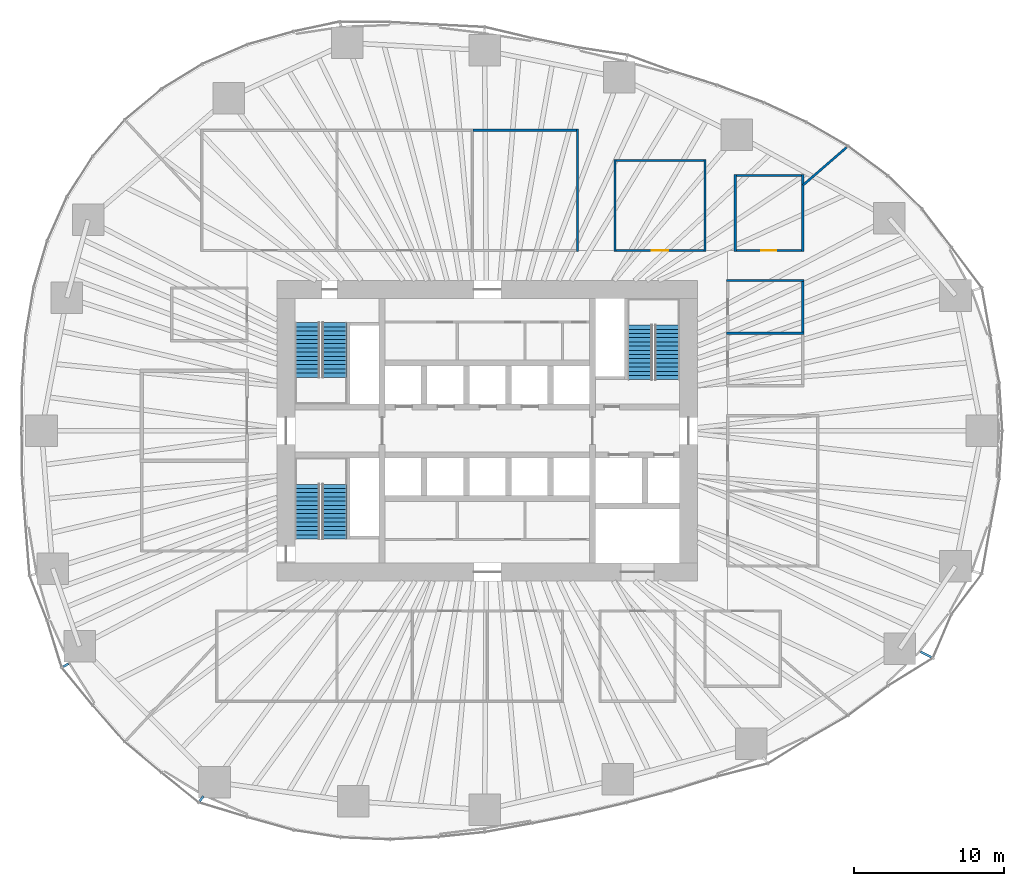
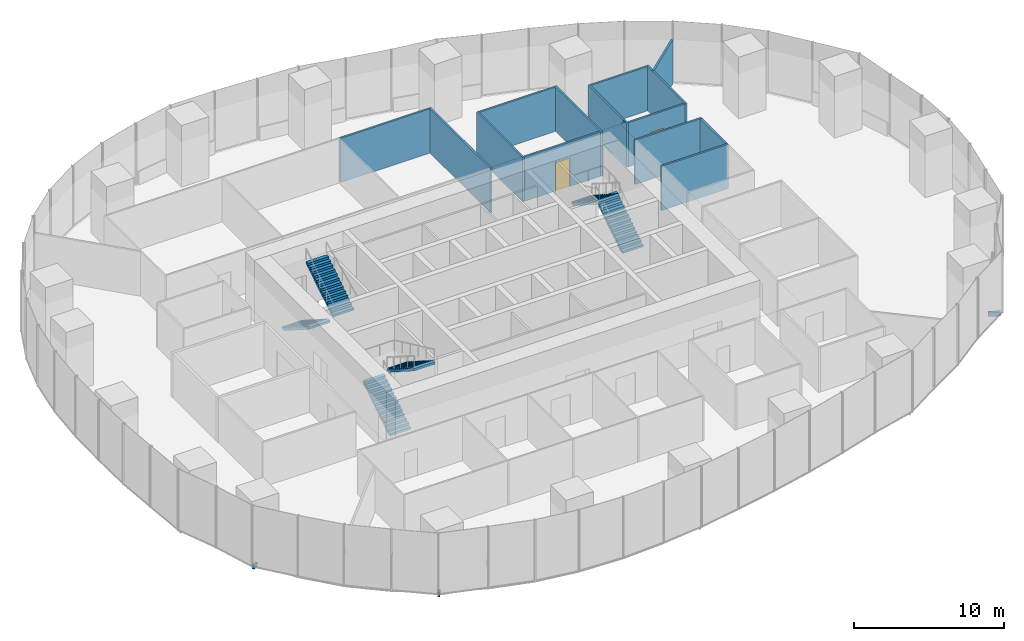
# One storey, part 12 of 20: 14 walls, 6 stair flights, 3 discrete accessories, 2 doors, 2 openings, 3 elements without a shape of their own.
"""IFC4 building model written with IfcOpenShell, lengths in metres."""

from ifc_helpers import new_model, si_unit, direction, frame, frame_2d, origin, origin_2d, place, context, subcontext, project, spatial, polyline, rectangle, outline, extrude, material, layer, layer_set, type_object, element, fill, aggregate, save


model = new_model("IFC4")

# Units and contexts
model_context = context("Model", 3, precision=1e-05, world=origin(), true_north=direction((0.0, 1.0)))
body_context = subcontext(model_context, "Body", "Model", "MODEL_VIEW")
ifc_project = project(units=[si_unit("LENGTHUNIT", "METRE"), si_unit("AREAUNIT", "SQUARE_METRE"), si_unit("VOLUMEUNIT", "CUBIC_METRE"), si_unit("PLANEANGLEUNIT", "RADIAN"), si_unit("MASSUNIT", "GRAM", prefix="KILO")], contexts=[model_context])

# Site, building, storey
site_placement = place(None, origin())
site = spatial("IfcSite", under=ifc_project, at=site_placement, CompositionType="ELEMENT")
building_placement = place(site_placement, origin())
building = spatial("IfcBuilding", under=site, at=building_placement, Name="Ghaith Harvest Tower", CompositionType="ELEMENT")
storey_placement = place(building_placement, frame((0.0, 0.0, 20.0)))
storey = spatial("IfcBuildingStorey", under=building, at=storey_placement, Name="L04", CompositionType="ELEMENT", Elevation=20.0)

# Walls
ifc_material_1 = material(Name="Gypsum board on steel studs", Category="steel")
ifc_layer = layer(ifc_material_1, 0.14990234375)
ifc_layer_set = layer_set([ifc_layer], Name="PARTITION 150")
wall_type = type_object("IfcWallType", Name="PARTITION 150", PredefinedType="PARTITIONING", material=ifc_layer_set)
wall_1_placement = place(storey_placement, frame((6.0, 11.925048828125, 0.0), z_axis=(0.0, 0.0, 1.0), x_axis=(0.0, 1.0, 0.0)))
element("IfcWall", 1, at=wall_1_placement, inside=storey, type_object=wall_type, Name="Partition L04 row N1 cross wall 4", PredefinedType="PARTITIONING", context=body_context, shape_type="SweptSolid", body=[
    extrude(rectangle(XDim=8.14990234375, YDim=0.14990234375, at=frame_2d((4.074951171875, 0.0))), origin(), (0.0, 0.0, 1.0), 3.60009765625),
])
wall_2_placement = place(storey_placement, frame((-0.93994140625, 20.0, 0.0), z_axis=(0.0, 0.0, 1.0), x_axis=(1.0, 0.0, 0.0)))
element("IfcWall", 2, at=wall_2_placement, inside=storey, type_object=wall_type, Name="Partition L04-03", PredefinedType="PARTITIONING", context=body_context, shape_type="SweptSolid", body=[
    extrude(rectangle(XDim=6.864990234375, YDim=0.14990234375, at=frame_2d((3.4326171875, 0.0))), origin(), (0.0, 0.0, 1.0), 3.60009765625),
])
for number, where, z_axis, x_axis, name in (
    (3, (8.5, 11.925048828125, 0.0), (0.0, 0.0, 1.0), (0.0, 1.0, 0.0), "Partition L04 row N2 cross wall 1"),
    (4, (14.5, 11.925048828125, 0.0), (0.0, 0.0, 1.0), (0.0, 1.0, 0.0), "Partition L04 row N2 cross wall 2"),
):
    element("IfcWall", number, at=place(storey_placement, frame(where, z_axis=z_axis, x_axis=x_axis)), inside=storey, type_object=wall_type, Name=name, PredefinedType="PARTITIONING", context=body_context, shape_type="SweptSolid", body=[
        extrude(rectangle(XDim=6.14990234375, YDim=0.14990234375, at=frame_2d((3.074951171875, 0.0))), origin(), (0.0, 0.0, 1.0), 3.60009765625),
    ])

# Wall, opening, door
wall_3_placement = place(storey_placement, frame((8.574951171875, 12.0, 0.0), z_axis=(0.0, 0.0, 1.0), x_axis=(1.0, 0.0, 0.0)))
wall_3 = element("IfcWall", 5, at=wall_3_placement, inside=storey, type_object=wall_type, Name="Partition L04-04", PredefinedType="PARTITIONING", context=body_context, shape_type="SweptSolid", body=[
    extrude(rectangle(XDim=5.85009765625, YDim=0.14990234375, at=frame_2d((2.925048828125, 0.0))), origin(), (0.0, 0.0, 1.0), 3.60009765625),
])
opening_1_placement = place(wall_3_placement, frame((2.375, 0.0, 0.0)))
opening_1 = element("IfcOpeningElement", 6, at=opening_1_placement, cuts=wall_3, Name="Opening 04-027", PredefinedType="OPENING", context=body_context, shape_type="SweptSolid", body=[
    extrude(rectangle(XDim=1.10009765625, YDim=2.300048828125, at=frame_2d((0.550048828125, 1.14990234375))), frame((0.0, 0.0849609375, 0.0), z_axis=(0.0, -1.0, 0.0), x_axis=(1.0, 0.0, 0.0)), (0.0, 0.0, 1.0), 0.169921875),
])
ifc_material_2 = material(Name="Timber-framed glazed door", Category="wood")
door_type_1 = type_object("IfcDoorType", Name="D12 GLAZED OFFICE 1100x2300", OperationType="SINGLE_SWING_LEFT", PredefinedType="DOOR", material=ifc_material_2)
door_1_placement = place(opening_1_placement, origin())
door_1 = element("IfcDoor", 7, at=door_1_placement, inside=storey, type_object=door_type_1, Name="Farm office door", OperationType="SINGLE_SWING_LEFT", OverallHeight=2.300048828125, OverallWidth=1.10009765625, PredefinedType="DOOR", context=body_context, shape_type="SweptSolid", body=[
    extrude(rectangle(XDim=1.10009765625, YDim=2.300048828125, at=frame_2d((0.550048828125, 1.14990234375))), frame((0.0, 0.02490234375, 0.0), z_axis=(0.0, -1.0, 0.0), x_axis=(1.0, 0.0, 0.0)), (0.0, 0.0, 1.0), 0.050048828125),
])
fill(opening_1, door_1)

# Walls
wall_4_placement = place(storey_placement, frame((8.574951171875, 18.0, 0.0), z_axis=(0.0, 0.0, 1.0), x_axis=(1.0, 0.0, 0.0)))
element("IfcWall", 8, at=wall_4_placement, inside=storey, type_object=wall_type, Name="Partition L04-04", PredefinedType="PARTITIONING", context=body_context, shape_type="SweptSolid", body=[
    extrude(rectangle(XDim=5.85009765625, YDim=0.14990234375, at=frame_2d((2.925048828125, 0.0))), origin(), (0.0, 0.0, 1.0), 3.60009765625),
])
for number, where, z_axis, x_axis, name in (
    (9, (16.5, 11.925048828125, 0.0), (0.0, 0.0, 1.0), (0.0, 1.0, 0.0), "Partition L04 row N7 cross wall 1"),
    (10, (21.0, 11.925048828125, 0.0), (0.0, 0.0, 1.0), (0.0, 1.0, 0.0), "Partition L04 row N7 cross wall 2"),
):
    element("IfcWall", number, at=place(storey_placement, frame(where, z_axis=z_axis, x_axis=x_axis)), inside=storey, type_object=wall_type, Name=name, PredefinedType="PARTITIONING", context=body_context, shape_type="SweptSolid", body=[
        extrude(rectangle(XDim=5.14990234375, YDim=0.14990234375, at=frame_2d((2.574951171875, 0.0))), origin(), (0.0, 0.0, 1.0), 3.60009765625),
    ])

# Wall, opening, door
wall_5_placement = place(storey_placement, frame((16.574951171875, 12.0, 0.0), z_axis=(0.0, 0.0, 1.0), x_axis=(1.0, 0.0, 0.0)))
wall_5 = element("IfcWall", 11, at=wall_5_placement, inside=storey, type_object=wall_type, Name="Partition L04-14", PredefinedType="PARTITIONING", context=body_context, shape_type="SweptSolid", body=[
    extrude(rectangle(XDim=4.35009765625, YDim=0.14990234375, at=frame_2d((2.175048828125, 0.0))), origin(), (0.0, 0.0, 1.0), 3.60009765625),
])
opening_2_placement = place(wall_5_placement, frame((1.675048828125, 0.0, 0.0)))
opening_2 = element("IfcOpeningElement", 12, at=opening_2_placement, cuts=wall_5, Name="Opening 04-037", PredefinedType="OPENING", context=body_context, shape_type="SweptSolid", body=[
    extrude(rectangle(XDim=1.0, YDim=2.199951171875, at=frame_2d((0.5, 1.10009765625))), frame((0.0, 0.0849609375, 0.0), z_axis=(0.0, -1.0, 0.0), x_axis=(1.0, 0.0, 0.0)), (0.0, 0.0, 1.0), 0.169921875),
])
ifc_material_3 = material(Name="Timber door", Category="wood")
door_type_2 = type_object("IfcDoorType", Name="D1 SINGLE 1000x2200", OperationType="SINGLE_SWING_LEFT", PredefinedType="DOOR", material=ifc_material_3)
door_2_placement = place(opening_2_placement, origin())
door_2 = element("IfcDoor", 13, at=door_2_placement, inside=storey, type_object=door_type_2, Name="Seedling inspection room door", OperationType="SINGLE_SWING_LEFT", OverallHeight=2.199951171875, OverallWidth=1.0, PredefinedType="DOOR", context=body_context, shape_type="SweptSolid", body=[
    extrude(rectangle(XDim=1.0, YDim=2.199951171875, at=frame_2d((0.5, 1.10009765625))), frame((0.0, 0.02490234375, 0.0), z_axis=(0.0, -1.0, 0.0), x_axis=(1.0, 0.0, 0.0)), (0.0, 0.0, 1.0), 0.050048828125),
])
fill(opening_2, door_2)

# Walls
wall_6_placement = place(storey_placement, frame((16.574951171875, 17.0, 0.0), z_axis=(0.0, 0.0, 1.0), x_axis=(1.0, 0.0, 0.0)))
element("IfcWall", 14, at=wall_6_placement, inside=storey, type_object=wall_type, Name="Partition L04-14", PredefinedType="PARTITIONING", context=body_context, shape_type="SweptSolid", body=[
    extrude(rectangle(XDim=4.35009765625, YDim=0.14990234375, at=frame_2d((2.175048828125, 0.0))), origin(), (0.0, 0.0, 1.0), 3.60009765625),
])
for number, where, z_axis, x_axis, name in (
    (15, (15.925048828125, 6.5, 0.0), (0.0, 0.0, 1.0), (1.0, 0.0, 0.0), "Partition L04 row E9 cross wall 2"),
    (16, (15.925048828125, 10.0, 0.0), (0.0, 0.0, 1.0), (1.0, 0.0, 0.0), "Partition L04 row E9 cross wall 3"),
):
    element("IfcWall", number, at=place(storey_placement, frame(where, z_axis=z_axis, x_axis=x_axis)), inside=storey, type_object=wall_type, Name=name, PredefinedType="PARTITIONING", context=body_context, shape_type="SweptSolid", body=[
        extrude(rectangle(XDim=5.14990234375, YDim=0.14990234375, at=frame_2d((2.574951171875, 0.0))), origin(), (0.0, 0.0, 1.0), 3.60009765625),
    ])
wall_7_placement = place(storey_placement, frame((21.0, 6.574951171875, 0.0), z_axis=(0.0, 0.0, 1.0), x_axis=(0.0, 1.0, 0.0)))
element("IfcWall", 17, at=wall_7_placement, inside=storey, type_object=wall_type, Name="Partition L04-17", PredefinedType="PARTITIONING", context=body_context, shape_type="SweptSolid", body=[
    extrude(rectangle(XDim=3.35009765625, YDim=0.14990234375, at=frame_2d((1.675048828125, 0.0))), origin(), (0.0, 0.0, 1.0), 3.60009765625),
])
wall_8_placement = place(storey_placement, frame((21.02001953125, 16.35400390625, 0.0), z_axis=(0.0, 0.0, 1.0), x_axis=(0.755425653008, 0.655234372402, 0.0)))
element("IfcWall", 18, at=wall_8_placement, inside=storey, type_object=wall_type, Name="Partition L04 zone division", PredefinedType="PARTITIONING", context=body_context, shape_type="SweptSolid", body=[
    extrude(rectangle(XDim=3.8232421875, YDim=0.14990234375, at=frame_2d((1.91162109375, 0.0))), origin(), (0.0, 0.0, 1.0), 3.60009765625),
])

# Stair, stair flights
ifc_material_4 = material(Name="Concrete C40/50, precast", Category="concrete")
stair_type = type_object("IfcStairType", Name="CORE STAIR 28R", PredefinedType="HALF_TURN_STAIR", material=ifc_material_4)
stair_1_placement = place(storey_placement, origin())
stair_1 = element("IfcStair", 19, at=stair_1_placement, inside=storey, type_object=stair_type, Name="Stair ST1 L04", PredefinedType="HALF_TURN_STAIR")
ifc_material_5 = material(Name="Concrete C40/50, precast", Category="concrete")
stair_flight_type = type_object("IfcStairFlightType", Name="CORE FLIGHT 14R 1600", PredefinedType="STRAIGHT", material=ifc_material_5)
stair_flight_1_placement = place(storey_placement, frame((-12.0, 7.199951171875, 0.0), z_axis=(0.0, 0.0, 1.0), x_axis=(0.0, -1.0, 0.0)))
stair_flight_1 = element("IfcStairFlight", 20, at=stair_flight_1_placement, type_object=stair_flight_type, Name="ST1 flight 1", NumberOfRisers=14, NumberOfTreads=13, PredefinedType="STRAIGHT", RiserHeight=0.178571429, TreadLength=0.28, context=body_context, shape_type="SweptSolid", body=[
    extrude(outline(polyline([(0.0, 0.0), (0.0, 0.178466796875), (0.280029296875, 0.178466796875), (0.280029296875, 0.357177734375), (0.56005859375, 0.357177734375), (0.56005859375, 0.53564453125), (0.840087890625, 0.53564453125), (0.840087890625, 0.71435546875), (1.1201171875, 0.71435546875), (1.1201171875, 0.892822265625), (1.39990234375, 0.892822265625), (1.39990234375, 1.071533203125), (1.679931640625, 1.071533203125), (1.679931640625, 1.25), (1.9599609375, 1.25), (1.9599609375, 1.428466796875), (2.239990234375, 1.428466796875), (2.239990234375, 1.607177734375), (2.52001953125, 1.607177734375), (2.52001953125, 1.78564453125), (2.800048828125, 1.78564453125), (2.800048828125, 1.96435546875), (3.080078125, 1.96435546875), (3.080078125, 2.142822265625), (3.360107421875, 2.142822265625), (3.360107421875, 2.321533203125), (3.639892578125, 2.321533203125), (3.639892578125, 2.5), (3.639892578125, 2.1435546875), (0.27880859375, 0.0), (0.0, 0.0)])), frame((0.0, 0.800048828125, 0.0), z_axis=(0.0, -1.0, 0.0), x_axis=(1.0, 0.0, 0.0)), (0.0, 0.0, 1.0), 1.60009765625),
])
stair_flight_2_placement = place(storey_placement, frame((-10.14990234375, 3.56005859375, 2.5), z_axis=(0.0, 0.0, 1.0), x_axis=(0.0, 1.0, 0.0)))
stair_flight_2 = element("IfcStairFlight", 21, at=stair_flight_2_placement, type_object=stair_flight_type, Name="ST1 flight 2", NumberOfRisers=14, NumberOfTreads=13, PredefinedType="STRAIGHT", RiserHeight=0.178571429, TreadLength=0.28, context=body_context, shape_type="SweptSolid", body=[
    extrude(outline(polyline([(0.0, 0.0), (0.0, 0.178466796875), (0.280029296875, 0.178466796875), (0.280029296875, 0.357177734375), (0.56005859375, 0.357177734375), (0.56005859375, 0.53564453125), (0.840087890625, 0.53564453125), (0.840087890625, 0.71435546875), (1.1201171875, 0.71435546875), (1.1201171875, 0.892822265625), (1.39990234375, 0.892822265625), (1.39990234375, 1.071533203125), (1.679931640625, 1.071533203125), (1.679931640625, 1.25), (1.9599609375, 1.25), (1.9599609375, 1.428466796875), (2.239990234375, 1.428466796875), (2.239990234375, 1.607177734375), (2.52001953125, 1.607177734375), (2.52001953125, 1.78564453125), (2.800048828125, 1.78564453125), (2.800048828125, 1.96435546875), (3.080078125, 1.96435546875), (3.080078125, 2.142822265625), (3.360107421875, 2.142822265625), (3.360107421875, 2.321533203125), (3.639892578125, 2.321533203125), (3.639892578125, 2.5), (3.639892578125, 2.1435546875), (0.27880859375, 0.0), (0.0, 0.0)])), frame((0.0, 0.800048828125, 0.0), z_axis=(0.0, -1.0, 0.0), x_axis=(1.0, 0.0, 0.0)), (0.0, 0.0, 1.0), 1.60009765625),
])
aggregate(stair_1, [stair_flight_1, stair_flight_2])

stair_2_placement = place(storey_placement, origin())
stair_2 = element("IfcStair", 22, at=stair_2_placement, inside=storey, type_object=stair_type, Name="Stair ST3 L04", PredefinedType="HALF_TURN_STAIR")
stair_flight_3_placement = place(storey_placement, frame((-12.0, -7.199951171875, 0.0), z_axis=(0.0, 0.0, 1.0), x_axis=(0.0, 1.0, 0.0)))
stair_flight_3 = element("IfcStairFlight", 23, at=stair_flight_3_placement, type_object=stair_flight_type, Name="ST3 flight 1", NumberOfRisers=14, NumberOfTreads=13, PredefinedType="STRAIGHT", RiserHeight=0.178571429, TreadLength=0.28, context=body_context, shape_type="SweptSolid", body=[
    extrude(outline(polyline([(0.0, 0.0), (0.0, 0.178466796875), (0.280029296875, 0.178466796875), (0.280029296875, 0.357177734375), (0.56005859375, 0.357177734375), (0.56005859375, 0.53564453125), (0.840087890625, 0.53564453125), (0.840087890625, 0.71435546875), (1.1201171875, 0.71435546875), (1.1201171875, 0.892822265625), (1.39990234375, 0.892822265625), (1.39990234375, 1.071533203125), (1.679931640625, 1.071533203125), (1.679931640625, 1.25), (1.9599609375, 1.25), (1.9599609375, 1.428466796875), (2.239990234375, 1.428466796875), (2.239990234375, 1.607177734375), (2.52001953125, 1.607177734375), (2.52001953125, 1.78564453125), (2.800048828125, 1.78564453125), (2.800048828125, 1.96435546875), (3.080078125, 1.96435546875), (3.080078125, 2.142822265625), (3.360107421875, 2.142822265625), (3.360107421875, 2.321533203125), (3.639892578125, 2.321533203125), (3.639892578125, 2.5), (3.639892578125, 2.1435546875), (0.27880859375, 0.0), (0.0, 0.0)])), frame((0.0, 0.800048828125, 0.0), z_axis=(0.0, -1.0, 0.0), x_axis=(1.0, 0.0, 0.0)), (0.0, 0.0, 1.0), 1.60009765625),
])
stair_flight_4_placement = place(storey_placement, frame((-10.14990234375, -3.56005859375, 2.5), z_axis=(0.0, 0.0, 1.0), x_axis=(0.0, -1.0, 0.0)))
stair_flight_4 = element("IfcStairFlight", 24, at=stair_flight_4_placement, type_object=stair_flight_type, Name="ST3 flight 2", NumberOfRisers=14, NumberOfTreads=13, PredefinedType="STRAIGHT", RiserHeight=0.178571429, TreadLength=0.28, context=body_context, shape_type="SweptSolid", body=[
    extrude(outline(polyline([(0.0, 0.0), (0.0, 0.178466796875), (0.280029296875, 0.178466796875), (0.280029296875, 0.357177734375), (0.56005859375, 0.357177734375), (0.56005859375, 0.53564453125), (0.840087890625, 0.53564453125), (0.840087890625, 0.71435546875), (1.1201171875, 0.71435546875), (1.1201171875, 0.892822265625), (1.39990234375, 0.892822265625), (1.39990234375, 1.071533203125), (1.679931640625, 1.071533203125), (1.679931640625, 1.25), (1.9599609375, 1.25), (1.9599609375, 1.428466796875), (2.239990234375, 1.428466796875), (2.239990234375, 1.607177734375), (2.52001953125, 1.607177734375), (2.52001953125, 1.78564453125), (2.800048828125, 1.78564453125), (2.800048828125, 1.96435546875), (3.080078125, 1.96435546875), (3.080078125, 2.142822265625), (3.360107421875, 2.142822265625), (3.360107421875, 2.321533203125), (3.639892578125, 2.321533203125), (3.639892578125, 2.5), (3.639892578125, 2.1435546875), (0.27880859375, 0.0), (0.0, 0.0)])), frame((0.0, 0.800048828125, 0.0), z_axis=(0.0, -1.0, 0.0), x_axis=(1.0, 0.0, 0.0)), (0.0, 0.0, 1.0), 1.60009765625),
])
aggregate(stair_2, [stair_flight_3, stair_flight_4])

stair_3_placement = place(storey_placement, origin())
stair_3 = element("IfcStair", 25, at=stair_3_placement, inside=storey, type_object=stair_type, Name="Stair ST2 L04", PredefinedType="HALF_TURN_STAIR")
stair_flight_5_placement = place(storey_placement, frame((12.0, 3.39990234375, 0.0), z_axis=(0.0, 0.0, 1.0), x_axis=(0.0, 1.0, 0.0)))
stair_flight_5 = element("IfcStairFlight", 26, at=stair_flight_5_placement, type_object=stair_flight_type, Name="ST2 flight 1", NumberOfRisers=14, NumberOfTreads=13, PredefinedType="STRAIGHT", RiserHeight=0.178571429, TreadLength=0.28, context=body_context, shape_type="SweptSolid", body=[
    extrude(outline(polyline([(0.0, 0.0), (0.0, 0.178466796875), (0.280029296875, 0.178466796875), (0.280029296875, 0.357177734375), (0.56005859375, 0.357177734375), (0.56005859375, 0.53564453125), (0.840087890625, 0.53564453125), (0.840087890625, 0.71435546875), (1.1201171875, 0.71435546875), (1.1201171875, 0.892822265625), (1.39990234375, 0.892822265625), (1.39990234375, 1.071533203125), (1.679931640625, 1.071533203125), (1.679931640625, 1.25), (1.9599609375, 1.25), (1.9599609375, 1.428466796875), (2.239990234375, 1.428466796875), (2.239990234375, 1.607177734375), (2.52001953125, 1.607177734375), (2.52001953125, 1.78564453125), (2.800048828125, 1.78564453125), (2.800048828125, 1.96435546875), (3.080078125, 1.96435546875), (3.080078125, 2.142822265625), (3.360107421875, 2.142822265625), (3.360107421875, 2.321533203125), (3.639892578125, 2.321533203125), (3.639892578125, 2.5), (3.639892578125, 2.1435546875), (0.27880859375, 0.0), (0.0, 0.0)])), frame((0.0, 0.800048828125, 0.0), z_axis=(0.0, -1.0, 0.0), x_axis=(1.0, 0.0, 0.0)), (0.0, 0.0, 1.0), 1.60009765625),
])
stair_flight_6_placement = place(storey_placement, frame((10.14990234375, 7.0400390625, 2.5), z_axis=(0.0, 0.0, 1.0), x_axis=(0.0, -1.0, 0.0)))
stair_flight_6 = element("IfcStairFlight", 27, at=stair_flight_6_placement, type_object=stair_flight_type, Name="ST2 flight 2", NumberOfRisers=14, NumberOfTreads=13, PredefinedType="STRAIGHT", RiserHeight=0.178571429, TreadLength=0.28, context=body_context, shape_type="SweptSolid", body=[
    extrude(outline(polyline([(0.0, 0.0), (0.0, 0.178466796875), (0.280029296875, 0.178466796875), (0.280029296875, 0.357177734375), (0.56005859375, 0.357177734375), (0.56005859375, 0.53564453125), (0.840087890625, 0.53564453125), (0.840087890625, 0.71435546875), (1.1201171875, 0.71435546875), (1.1201171875, 0.892822265625), (1.39990234375, 0.892822265625), (1.39990234375, 1.071533203125), (1.679931640625, 1.071533203125), (1.679931640625, 1.25), (1.9599609375, 1.25), (1.9599609375, 1.428466796875), (2.239990234375, 1.428466796875), (2.239990234375, 1.607177734375), (2.52001953125, 1.607177734375), (2.52001953125, 1.78564453125), (2.800048828125, 1.78564453125), (2.800048828125, 1.96435546875), (3.080078125, 1.96435546875), (3.080078125, 2.142822265625), (3.360107421875, 2.142822265625), (3.360107421875, 2.321533203125), (3.639892578125, 2.321533203125), (3.639892578125, 2.5), (3.639892578125, 2.1435546875), (0.27880859375, 0.0), (0.0, 0.0)])), frame((0.0, 0.800048828125, 0.0), z_axis=(0.0, -1.0, 0.0), x_axis=(1.0, 0.0, 0.0)), (0.0, 0.0, 1.0), 1.60009765625),
])
aggregate(stair_3, [stair_flight_5, stair_flight_6])

# Discrete accessories
ifc_material_6 = material(Name="Stainless steel grade 1.4401", Category="steel")
discrete_accessory_type_1 = type_object("IfcDiscreteAccessoryType", Name="CURTAIN WALL BRACKET 415", PredefinedType="BRACKET", material=ifc_material_6)
discrete_accessory_1_placement = place(storey_placement, frame((-28.05859375, -15.60546875, -0.25), z_axis=(0.0, 0.0, 1.0), x_axis=(-0.873926916099, -0.486057347767, 0.0)))
element("IfcDiscreteAccessory", 28, at=discrete_accessory_1_placement, inside=storey, type_object=discrete_accessory_type_1, Name="CW-F bracket 3 bay 12 L04", PredefinedType="BRACKET", context=body_context, shape_type="SweptSolid", body=[
    extrude(rectangle(XDim=0.4150390625, YDim=0.14990234375, at=origin_2d()), origin(), (0.0, 0.0, 1.0), 0.35009765625),
])
ifc_material_7 = material(Name="Stainless steel grade 1.4401", Category="steel")
discrete_accessory_type_2 = type_object("IfcDiscreteAccessoryType", Name="CURTAIN WALL BRACKET 425", PredefinedType="BRACKET", material=ifc_material_7)
discrete_accessory_2_placement = place(storey_placement, frame((-19.02099609375, -24.491455078125, -0.25), z_axis=(0.0, 0.0, 1.0), x_axis=(-0.613377713774, -0.789789706343, 0.0)))
element("IfcDiscreteAccessory", 29, at=discrete_accessory_2_placement, inside=storey, type_object=discrete_accessory_type_2, Name="CW-F bracket 1 bay 14 L04", PredefinedType="BRACKET", context=body_context, shape_type="SweptSolid", body=[
    extrude(rectangle(XDim=0.425048828125, YDim=0.14990234375, at=origin_2d()), origin(), (0.0, 0.0, 1.0), 0.35009765625),
])
ifc_material_8 = material(Name="Stainless steel grade 1.4401", Category="steel")
discrete_accessory_type_3 = type_object("IfcDiscreteAccessoryType", Name="CURTAIN WALL BRACKET 825", PredefinedType="BRACKET", material=ifc_material_8)
discrete_accessory_3_placement = place(storey_placement, frame((29.203125, -14.89404296875, -0.25), z_axis=(0.0, 0.0, 1.0), x_axis=(0.890830752177, -0.454335306767, 0.0)))
element("IfcDiscreteAccessory", 30, at=discrete_accessory_3_placement, inside=storey, type_object=discrete_accessory_type_3, Name="CW-F bracket 2 bay 19 L04", PredefinedType="BRACKET", context=body_context, shape_type="SweptSolid", body=[
    extrude(rectangle(XDim=0.824951171875, YDim=0.14990234375, at=origin_2d()), origin(), (0.0, 0.0, 1.0), 0.35009765625),
])

save(model, "model.ifc")
